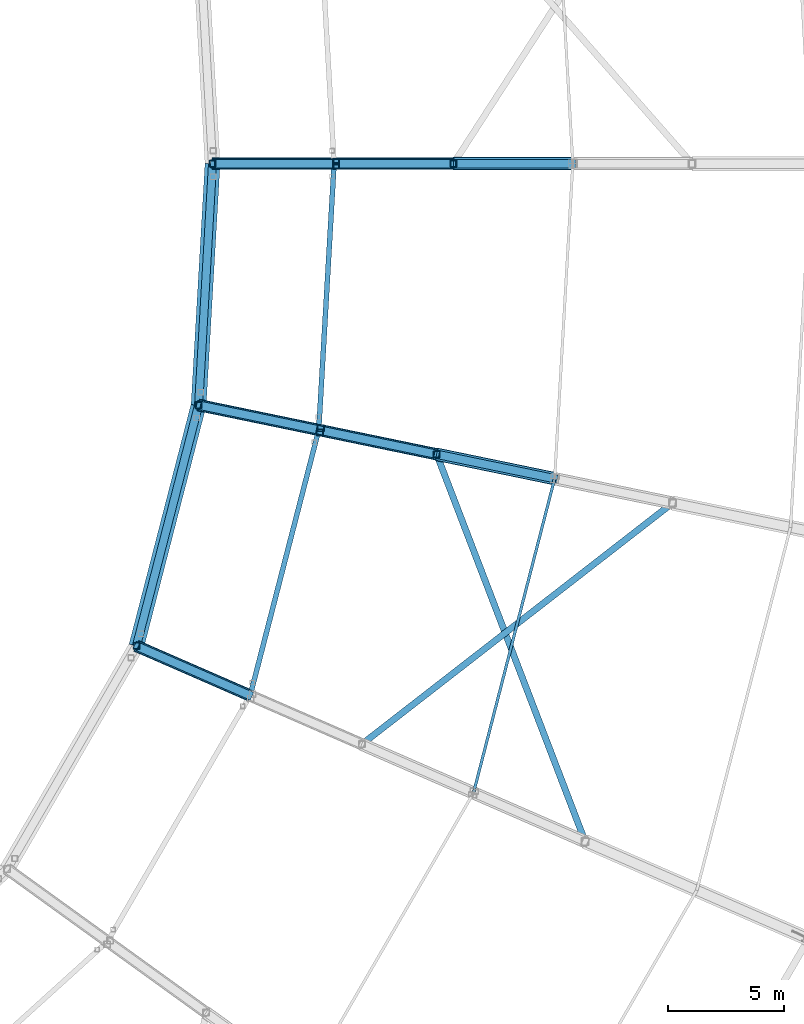
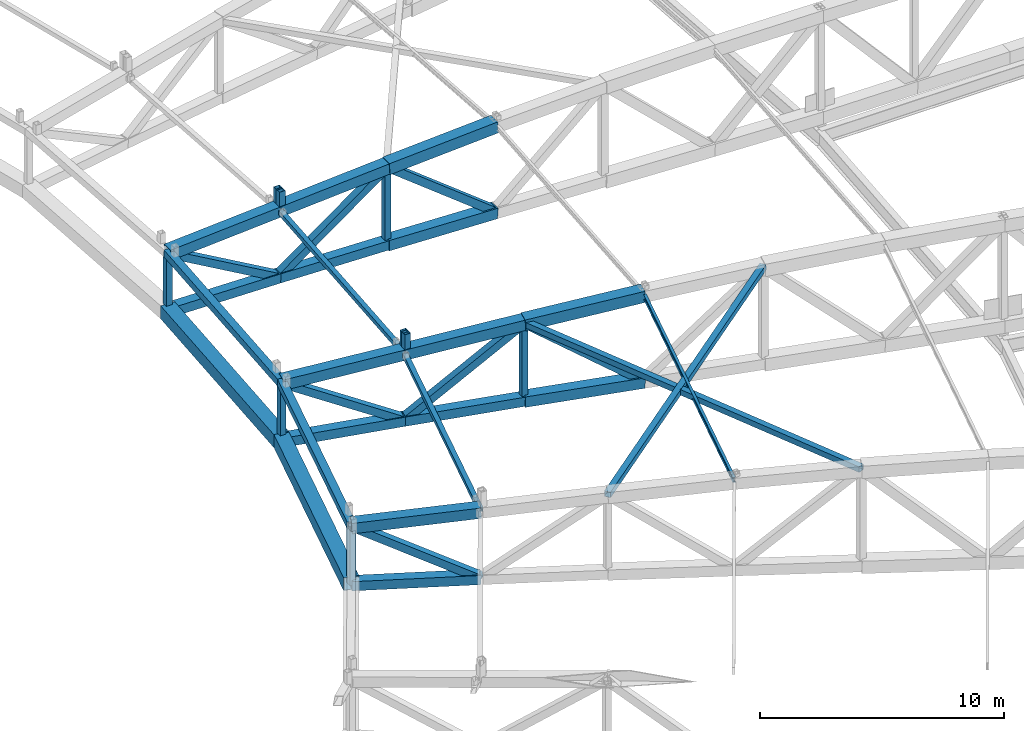
# One storey, part 55 of 162: 39 members.
"""IFC4 building model written with IfcOpenShell, lengths in metres."""

from ifc_helpers import new_model, si_unit, direction, frame, origin, origin_2d, place, context, subcontext, project, spatial, hollow_rectangle, i_section, extrude, material, material_profile, profile_set, type_object, element, save


model = new_model("IFC4")

# Units and contexts
model_context = context("Model", 3, precision=1e-05, world=origin(), true_north=direction((0.0, 1.0)))
body_context = subcontext(model_context, "Body", "Model", "MODEL_VIEW")
ifc_project = project(units=[si_unit("LENGTHUNIT", "METRE"), si_unit("AREAUNIT", "SQUARE_METRE"), si_unit("VOLUMEUNIT", "CUBIC_METRE"), si_unit("PLANEANGLEUNIT", "RADIAN"), si_unit("MASSUNIT", "GRAM", prefix="KILO")], contexts=[model_context])

# Site, building, storey
site_placement = place(None, origin())
site = spatial("IfcSite", under=ifc_project, at=site_placement, CompositionType="ELEMENT")
building_placement = place(site_placement, origin())
building = spatial("IfcBuilding", under=site, at=building_placement, Name="Kazemori Nagisa Stadium", CompositionType="ELEMENT")
storey_placement = place(building_placement, frame((0.0, 0.0, 36.719970703125)))
storey = spatial("IfcBuildingStorey", under=building, at=storey_placement, Name="RF", CompositionType="ELEMENT", Elevation=36.719970703125)

# Members
ifc_material_1 = material(Name="Steel STKR490", Category="steel")
ifc_material_profile_1 = material_profile(ifc_material_1, hollow_rectangle(XDim=0.280029296875, YDim=0.280029296875, WallThickness=0.010009765625, at=origin_2d()), Name="SHS-280x280x10")
ifc_profile_set_1 = profile_set([ifc_material_profile_1], Name="Steel STKR490")
member_type_1 = type_object("IfcMemberType", Name="Member_ST-SHS280", PredefinedType="STUD", material=ifc_profile_set_1)
member_1_placement = place(storey_placement, frame((179.122802734375, 102.095458984375, 4.72998046875), z_axis=(0.0, 0.0, 1.0), x_axis=(1.0, 0.0, 0.0)))
element("IfcMember", 1, at=member_1_placement, inside=storey, type_object=member_type_1, Name="Canopy bearing stool B01-inner-4", PredefinedType="STUD", context=body_context, shape_type="SweptSolid", body=[
    extrude(hollow_rectangle(XDim=0.280029296875, YDim=0.280029296875, WallThickness=0.010009765625, at=origin_2d()), origin(), (0.0, 0.0, 1.0), 0.983154296875),
])
member_2_placement = place(storey_placement, frame((178.441162109375, 90.447021484375, 4.74609375), z_axis=(0.0, 0.0, 1.0), x_axis=(1.0, 0.0, 0.0)))
element("IfcMember", 2, at=member_2_placement, inside=storey, type_object=member_type_1, Name="Canopy bearing stool B27-inner-3", PredefinedType="STUD", context=body_context, shape_type="SweptSolid", body=[
    extrude(hollow_rectangle(XDim=0.280029296875, YDim=0.280029296875, WallThickness=0.010009765625, at=origin_2d()), origin(), (0.0, 0.0, 1.0), 1.02099609375),
])
member_3_placement = place(storey_placement, frame((179.122802734375, 101.904541015625, 4.72998046875), z_axis=(0.0, 0.0, 1.0), x_axis=(1.0, 0.0, 0.0)))
element("IfcMember", 3, at=member_3_placement, inside=storey, type_object=member_type_1, Name="Canopy bearing stool B28-inner-3", PredefinedType="STUD", context=body_context, shape_type="SweptSolid", body=[
    extrude(hollow_rectangle(XDim=0.280029296875, YDim=0.280029296875, WallThickness=0.010009765625, at=origin_2d()), origin(), (0.0, 0.0, 1.0), 0.983154296875),
])
member_4_placement = place(storey_placement, frame((178.476318359375, 90.638427734375, 4.74609375), z_axis=(0.0, 0.0, 1.0), x_axis=(1.0, 0.0, 0.0)))
element("IfcMember", 4, at=member_4_placement, inside=storey, type_object=member_type_1, Name="Canopy bearing stool B28-inner-4", PredefinedType="STUD", context=body_context, shape_type="SweptSolid", body=[
    extrude(hollow_rectangle(XDim=0.280029296875, YDim=0.280029296875, WallThickness=0.010009765625, at=origin_2d()), origin(), (0.0, 0.0, 1.0), 0.967041015625),
])
ifc_material_profile_2 = material_profile(ifc_material_1, hollow_rectangle(XDim=0.280029296875, YDim=0.280029296875, WallThickness=0.010009765625, at=origin_2d()), Name="SHS-280x280x10")
ifc_profile_set_2 = profile_set([ifc_material_profile_2], Name="Steel STKR490")
member_type_2 = type_object("IfcMemberType", Name="Member_TB-SHS280", PredefinedType="BRACE", material=ifc_profile_set_2)
member_5_placement = place(storey_placement, frame((189.841552734375, 72.8603515625, 5.634033203125), z_axis=(-0.357813418302, 0.933309669006, -0.030043625322), x_axis=(-0.933731166084, -0.357975012374, 0.0)))
element("IfcMember", 5, at=member_5_placement, inside=storey, type_object=member_type_2, Name="Roof space truss plan brace B27-1", PredefinedType="BRACE", context=body_context, shape_type="SweptSolid", body=[
    extrude(hollow_rectangle(XDim=0.280029296875, YDim=0.280029296875, WallThickness=0.010009765625, at=origin_2d()), origin(), (0.0, 0.0, 1.0), 17.8369140625),
])
member_6_placement = place(storey_placement, frame((193.598388671875, 87.412841796875, 5.593994140625), z_axis=(-0.789677761227, -0.612957266405, -0.026313931394), x_axis=(0.613169589525, -0.789951298804, 0.0)))
element("IfcMember", 6, at=member_6_placement, inside=storey, type_object=member_type_2, Name="Roof space truss plan brace B27-2", PredefinedType="BRACE", context=body_context, shape_type="SweptSolid", body=[
    extrude(hollow_rectangle(XDim=0.280029296875, YDim=0.280029296875, WallThickness=0.010009765625, at=origin_2d()), origin(), (0.0, 0.0, 1.0), 16.913818359375),
])
ifc_material_profile_3 = material_profile(ifc_material_1, hollow_rectangle(XDim=0.360107421875, YDim=0.360107421875, WallThickness=0.013916015625, at=origin_2d()), Name="SHS-360x360x14")
ifc_profile_set_3 = profile_set([ifc_material_profile_3], Name="Steel STKR490")
member_type_3 = type_object("IfcMemberType", Name="Member_TB-SHS360", PredefinedType="BRACE", material=ifc_profile_set_3)
member_7_placement = place(storey_placement, frame((189.31005859375, 102.0, 1.06005859375), z_axis=(-0.78712226865, 0.0, 0.616796995936), x_axis=(0.0, -1.0, 0.0)))
element("IfcMember", 7, at=member_7_placement, inside=storey, type_object=member_type_3, Name="Roof space truss diagonal RT-01-7", PredefinedType="BRACE", context=body_context, shape_type="SweptSolid", body=[
    extrude(hollow_rectangle(XDim=0.360107421875, YDim=0.360107421875, WallThickness=0.013916015625, at=origin_2d()), origin(), (0.0, 0.0, 1.0), 6.517578125),
])
member_8_placement = place(storey_placement, frame((184.179931640625, 102.0, 5.080078125), z_axis=(-0.811051592036, 0.0, -0.584974627703), x_axis=(0.0, -1.0, 0.0)))
element("IfcMember", 8, at=member_8_placement, inside=storey, type_object=member_type_3, Name="Roof space truss diagonal RT-01-8", PredefinedType="BRACE", context=body_context, shape_type="SweptSolid", body=[
    extrude(hollow_rectangle(XDim=0.360107421875, YDim=0.360107421875, WallThickness=0.013916015625, at=origin_2d()), origin(), (0.0, 0.0, 1.0), 6.324951171875),
])
member_9_placement = place(storey_placement, frame((179.050048828125, 102.0, 1.380126953125), z_axis=(-0.867223935496, 0.0, 0.497918312278), x_axis=(0.0, -1.0, 0.0)))
element("IfcMember", 9, at=member_9_placement, inside=storey, type_object=member_type_3, Name="Roof space truss diagonal RT-01-9", PredefinedType="BRACE", context=body_context, shape_type="SweptSolid", body=[
    extrude(hollow_rectangle(XDim=0.360107421875, YDim=0.360107421875, WallThickness=0.013916015625, at=origin_2d()), origin(), (0.0, 0.0, 1.0), 6.025146484375),
])
member_10_placement = place(storey_placement, frame((175.442138671875, 79.1376953125, 1.427001953125), z_axis=(-0.798171243775, 0.347984166908, 0.491761817542), x_axis=(-0.399646575695, -0.916669304894, 0.0)))
element("IfcMember", 10, at=member_10_placement, inside=storey, type_object=member_type_3, Name="Roof space truss diagonal RT-27-9", PredefinedType="BRACE", context=body_context, shape_type="SweptSolid", body=[
    extrude(hollow_rectangle(XDim=0.360107421875, YDim=0.360107421875, WallThickness=0.013916015625, at=origin_2d()), origin(), (0.0, 0.0, 1.0), 6.124755859375),
])
member_11_placement = place(storey_placement, frame((188.52880859375, 88.46044921875, 1.068115234375), z_axis=(-0.772755619863, 0.159649487561, 0.61429699095), x_axis=(-0.20232488246, -0.979318457876, 0.0)))
element("IfcMember", 11, at=member_11_placement, inside=storey, type_object=member_type_3, Name="Roof space truss diagonal RT-28-7", PredefinedType="BRACE", context=body_context, shape_type="SweptSolid", body=[
    extrude(hollow_rectangle(XDim=0.360107421875, YDim=0.360107421875, WallThickness=0.013916015625, at=origin_2d()), origin(), (0.0, 0.0, 1.0), 6.560302734375),
])
member_12_placement = place(storey_placement, frame((183.459228515625, 89.5078125, 5.09814453125), z_axis=(-0.796283655624, 0.164548671624, -0.582113454966), x_axis=(-0.202370113198, -0.979309112224, 0.0)))
element("IfcMember", 12, at=member_12_placement, inside=storey, type_object=member_type_3, Name="Roof space truss diagonal RT-28-8", PredefinedType="BRACE", context=body_context, shape_type="SweptSolid", body=[
    extrude(hollow_rectangle(XDim=0.360107421875, YDim=0.360107421875, WallThickness=0.013916015625, at=origin_2d()), origin(), (0.0, 0.0, 1.0), 6.366455078125),
])
member_13_placement = place(storey_placement, frame((178.3896484375, 90.555419921875, 1.39208984375), z_axis=(-0.850966771702, 0.175834545006, 0.494911877249), x_axis=(-0.202354481803, -0.979312342256, 0.0)))
element("IfcMember", 13, at=member_13_placement, inside=storey, type_object=member_type_3, Name="Roof space truss diagonal RT-28-9", PredefinedType="BRACE", context=body_context, shape_type="SweptSolid", body=[
    extrude(hollow_rectangle(XDim=0.360107421875, YDim=0.360107421875, WallThickness=0.013916015625, at=origin_2d()), origin(), (0.0, 0.0, 1.0), 6.067626953125),
])
ifc_material_profile_4 = material_profile(ifc_material_1, hollow_rectangle(XDim=0.35009765625, YDim=0.35009765625, WallThickness=0.01611328125, at=origin_2d()), Name="SHS-350x350x16")
ifc_profile_set_4 = profile_set([ifc_material_profile_4], Name="Steel STKR490")
member_type_4 = type_object("IfcMemberType", Name="Member_TC-SHS350", PredefinedType="CHORD", material=ifc_profile_set_4)
member_14_placement = place(storey_placement, frame((170.553466796875, 81.26904296875, 4.43896484375), z_axis=(0.249967058277, 0.968245619322, -0.004109798181), x_axis=(-0.968253796473, 0.24996916933, 0.0)))
element("IfcMember", 14, at=member_14_placement, inside=storey, type_object=member_type_4, Name="Roof tension ring beam upper TR-27", PredefinedType="CHORD", context=body_context, shape_type="SweptSolid", body=[
    extrude(hollow_rectangle(XDim=0.35009765625, YDim=0.35009765625, WallThickness=0.01611328125, at=origin_2d()), origin(), (0.0, 0.0, 1.0), 10.69287109375),
])
member_15_placement = place(storey_placement, frame((173.226318359375, 91.622314453125, 4.39501953125), z_axis=(0.057588823188, 0.998339358579, -0.001432674639), x_axis=(-0.998340383154, 0.05758888229, 0.0)))
element("IfcMember", 15, at=member_15_placement, inside=storey, type_object=member_type_4, Name="Roof tension ring beam upper TR-28", PredefinedType="CHORD", context=body_context, shape_type="SweptSolid", body=[
    extrude(hollow_rectangle(XDim=0.35009765625, YDim=0.35009765625, WallThickness=0.01611328125, at=origin_2d()), origin(), (0.0, 0.0, 1.0), 10.39501953125),
])
ifc_material_profile_5 = material_profile(ifc_material_1, hollow_rectangle(XDim=0.4599609375, YDim=0.4599609375, WallThickness=0.01611328125, at=origin_2d()), Name="SHS-460x460x16")
ifc_profile_set_5 = profile_set([ifc_material_profile_5], Name="Steel STKR490")
member_type_5 = type_object("IfcMemberType", Name="Member_TC-SHS460", PredefinedType="CHORD", material=ifc_profile_set_5)
member_16_placement = place(storey_placement, frame((184.179931640625, 102.0, 1.239990234375), z_axis=(-0.999627079708, 0.0, 0.027307535872), x_axis=(0.0, -1.0, 0.0)))
element("IfcMember", 16, at=member_16_placement, inside=storey, type_object=member_type_5, Name="Roof space truss bottom chord RT-01-8", PredefinedType="CHORD", context=body_context, shape_type="SweptSolid", body=[
    extrude(hollow_rectangle(XDim=0.4599609375, YDim=0.4599609375, WallThickness=0.01611328125, at=origin_2d()), origin(), (0.0, 0.0, 1.0), 5.1318359375),
])
member_17_placement = place(storey_placement, frame((179.050048828125, 102.0, 1.380126953125), z_axis=(-0.999817447004, 0.0, 0.019106874863), x_axis=(0.0, -1.0, 0.0)))
element("IfcMember", 17, at=member_17_placement, inside=storey, type_object=member_type_5, Name="Roof space truss bottom chord RT-01-9", PredefinedType="CHORD", context=body_context, shape_type="SweptSolid", body=[
    extrude(hollow_rectangle(XDim=0.4599609375, YDim=0.4599609375, WallThickness=0.01611328125, at=origin_2d()), origin(), (0.0, 0.0, 1.0), 5.22607421875),
])
member_18_placement = place(storey_placement, frame((175.442138671875, 79.1376953125, 1.427001953125), z_axis=(-0.916485090446, 0.399566262465, 0.02004696712), x_axis=(-0.399646575695, -0.916669304894, 0.0)))
element("IfcMember", 18, at=member_18_placement, inside=storey, type_object=member_type_5, Name="Roof space truss bottom chord RT-27-9", PredefinedType="CHORD", context=body_context, shape_type="SweptSolid", body=[
    extrude(hollow_rectangle(XDim=0.4599609375, YDim=0.4599609375, WallThickness=0.01611328125, at=origin_2d()), origin(), (0.0, 0.0, 1.0), 5.334228515625),
])
member_19_placement = place(storey_placement, frame((183.459228515625, 89.5078125, 1.25), z_axis=(-0.978940418132, 0.202293924113, 0.027437675095), x_axis=(-0.202370113198, -0.979309112224, 0.0)))
element("IfcMember", 19, at=member_19_placement, inside=storey, type_object=member_type_5, Name="Roof space truss bottom chord RT-28-8", PredefinedType="CHORD", context=body_context, shape_type="SweptSolid", body=[
    extrude(hollow_rectangle(XDim=0.4599609375, YDim=0.4599609375, WallThickness=0.01611328125, at=origin_2d()), origin(), (0.0, 0.0, 1.0), 5.1787109375),
])
member_20_placement = place(storey_placement, frame((178.3896484375, 90.555419921875, 1.39208984375), z_axis=(-0.979128948489, 0.202316587304, 0.019352021394), x_axis=(-0.202354481803, -0.979312342256, 0.0)))
element("IfcMember", 20, at=member_20_placement, inside=storey, type_object=member_type_5, Name="Roof space truss bottom chord RT-28-9", PredefinedType="CHORD", context=body_context, shape_type="SweptSolid", body=[
    extrude(hollow_rectangle(XDim=0.4599609375, YDim=0.4599609375, WallThickness=0.01611328125, at=origin_2d()), origin(), (0.0, 0.0, 1.0), 5.2734375),
])
ifc_material_profile_6 = material_profile(ifc_material_1, hollow_rectangle(XDim=0.52001953125, YDim=0.52001953125, WallThickness=0.01904296875, at=origin_2d()), Name="SHS-520x520x19")
ifc_profile_set_6 = profile_set([ifc_material_profile_6], Name="Steel STKR490")
member_type_6 = type_object("IfcMemberType", Name="Member_TC-SHS520", PredefinedType="CHORD", material=ifc_profile_set_6)
member_21_placement = place(storey_placement, frame((189.31005859375, 102.0, 1.06005859375), z_axis=(-0.999385490787, 0.0, 0.035051972908), x_axis=(0.0, -1.0, 0.0)))
element("IfcMember", 21, at=member_21_placement, inside=storey, type_object=member_type_6, Name="Roof space truss bottom chord RT-01-7", PredefinedType="CHORD", context=body_context, shape_type="SweptSolid", body=[
    extrude(hollow_rectangle(XDim=0.52001953125, YDim=0.52001953125, WallThickness=0.01904296875, at=origin_2d()), origin(), (0.0, 0.0, 1.0), 5.13330078125),
])
member_22_placement = place(storey_placement, frame((184.179931640625, 102.0, 5.080078125), z_axis=(-0.997679296434, 0.0, -0.068088335765), x_axis=(0.0, -1.0, 0.0)))
element("IfcMember", 22, at=member_22_placement, inside=storey, type_object=member_type_6, Name="Roof space truss top chord RT-01-8", PredefinedType="CHORD", context=body_context, shape_type="SweptSolid", body=[
    extrude(hollow_rectangle(XDim=0.52001953125, YDim=0.52001953125, WallThickness=0.01904296875, at=origin_2d()), origin(), (0.0, 0.0, 1.0), 5.141845703125),
])
member_23_placement = place(storey_placement, frame((179.050048828125, 102.0, 4.72998046875), z_axis=(-0.997765931933, 0.0, -0.066806774155), x_axis=(0.0, -1.0, 0.0)))
element("IfcMember", 23, at=member_23_placement, inside=storey, type_object=member_type_6, Name="Roof space truss top chord RT-01-9", PredefinedType="CHORD", context=body_context, shape_type="SweptSolid", body=[
    extrude(hollow_rectangle(XDim=0.52001953125, YDim=0.52001953125, WallThickness=0.01904296875, at=origin_2d()), origin(), (0.0, 0.0, 1.0), 5.23681640625),
])
member_24_placement = place(storey_placement, frame((175.442138671875, 79.1376953125, 4.7939453125), z_axis=(-0.914645377037, 0.398764190049, -0.066415020886), x_axis=(-0.399646575695, -0.916669304894, 0.0)))
element("IfcMember", 24, at=member_24_placement, inside=storey, type_object=member_type_6, Name="Roof space truss top chord RT-27-9", PredefinedType="CHORD", context=body_context, shape_type="SweptSolid", body=[
    extrude(hollow_rectangle(XDim=0.52001953125, YDim=0.52001953125, WallThickness=0.01904296875, at=origin_2d()), origin(), (0.0, 0.0, 1.0), 5.344970703125),
])
member_25_placement = place(storey_placement, frame((188.52880859375, 88.46044921875, 1.068115234375), z_axis=(-0.978714525074, 0.202200111368, 0.035114005354), x_axis=(-0.20232488246, -0.979318457876, 0.0)))
element("IfcMember", 25, at=member_25_placement, inside=storey, type_object=member_type_6, Name="Roof space truss bottom chord RT-28-7", PredefinedType="CHORD", context=body_context, shape_type="SweptSolid", body=[
    extrude(hollow_rectangle(XDim=0.52001953125, YDim=0.52001953125, WallThickness=0.01904296875, at=origin_2d()), origin(), (0.0, 0.0, 1.0), 5.179931640625),
])
member_26_placement = place(storey_placement, frame((183.459228515625, 89.5078125, 5.09814453125), z_axis=(-0.977052313722, 0.20190375527, -0.067850201608), x_axis=(-0.202370113198, -0.979309112224, 0.0)))
element("IfcMember", 26, at=member_26_placement, inside=storey, type_object=member_type_6, Name="Roof space truss top chord RT-28-8", PredefinedType="CHORD", context=body_context, shape_type="SweptSolid", body=[
    extrude(hollow_rectangle(XDim=0.52001953125, YDim=0.52001953125, WallThickness=0.01904296875, at=origin_2d()), origin(), (0.0, 0.0, 1.0), 5.188720703125),
])
member_27_placement = place(storey_placement, frame((178.3896484375, 90.555419921875, 4.74609375), z_axis=(-0.977148475491, 0.201907363842, -0.06643999753), x_axis=(-0.202354481803, -0.979312342256, 0.0)))
element("IfcMember", 27, at=member_27_placement, inside=storey, type_object=member_type_6, Name="Roof space truss top chord RT-28-9", PredefinedType="CHORD", context=body_context, shape_type="SweptSolid", body=[
    extrude(hollow_rectangle(XDim=0.52001953125, YDim=0.52001953125, WallThickness=0.01904296875, at=origin_2d()), origin(), (0.0, 0.0, 1.0), 5.2841796875),
])
ifc_material_profile_7 = material_profile(ifc_material_1, hollow_rectangle(XDim=0.56005859375, YDim=0.56005859375, WallThickness=0.02001953125, at=origin_2d()), Name="SHS-560x560x20")
ifc_profile_set_7 = profile_set([ifc_material_profile_7], Name="Steel STKR490")
member_type_7 = type_object("IfcMemberType", Name="Member_TC-SHS560", PredefinedType="CHORD", material=ifc_profile_set_7)
member_28_placement = place(storey_placement, frame((189.31005859375, 102.0, 5.380126953125), z_axis=(-0.998293975882, 0.0, -0.058387821651), x_axis=(0.0, -1.0, 0.0)))
element("IfcMember", 28, at=member_28_placement, inside=storey, type_object=member_type_7, Name="Roof space truss top chord RT-01-7", PredefinedType="CHORD", context=body_context, shape_type="SweptSolid", body=[
    extrude(hollow_rectangle(XDim=0.56005859375, YDim=0.56005859375, WallThickness=0.02001953125, at=origin_2d()), origin(), (0.0, 0.0, 1.0), 5.138916015625),
])
member_29_placement = place(storey_placement, frame((188.52880859375, 88.46044921875, 5.39794921875), z_axis=(-0.977680194016, 0.201986421013, -0.057818024476), x_axis=(-0.20232488246, -0.979318457876, 0.0)))
element("IfcMember", 29, at=member_29_placement, inside=storey, type_object=member_type_7, Name="Roof space truss top chord RT-28-7", PredefinedType="CHORD", context=body_context, shape_type="SweptSolid", body=[
    extrude(hollow_rectangle(XDim=0.56005859375, YDim=0.56005859375, WallThickness=0.02001953125, at=origin_2d()), origin(), (0.0, 0.0, 1.0), 5.185302734375),
])
ifc_material_profile_8 = material_profile(ifc_material_1, hollow_rectangle(XDim=0.64990234375, YDim=0.64990234375, WallThickness=0.02490234375, at=origin_2d()), Name="SHS-650x650x25")
ifc_profile_set_8 = profile_set([ifc_material_profile_8], Name="Steel STKR490")
member_type_8 = type_object("IfcMemberType", Name="Member_TC-SHS650", PredefinedType="CHORD", material=ifc_profile_set_8)
member_30_placement = place(storey_placement, frame((170.553466796875, 81.26904296875, 1.533935546875), z_axis=(0.249967438197, 0.968247090941, -0.003721656232), x_axis=(-0.968253796473, 0.24996916933, 0.0)))
element("IfcMember", 30, at=member_30_placement, inside=storey, type_object=member_type_8, Name="Roof tension ring beam lower TR-27", PredefinedType="CHORD", context=body_context, shape_type="SweptSolid", body=[
    extrude(hollow_rectangle(XDim=0.64990234375, YDim=0.64990234375, WallThickness=0.02490234375, at=origin_2d()), origin(), (0.0, 0.0, 1.0), 10.69287109375),
])
member_31_placement = place(storey_placement, frame((173.226318359375, 91.622314453125, 1.494140625), z_axis=(0.057588828858, 0.998339456878, -0.001362215365), x_axis=(-0.998340383154, 0.05758888229, 0.0)))
element("IfcMember", 31, at=member_31_placement, inside=storey, type_object=member_type_8, Name="Roof tension ring beam lower TR-28", PredefinedType="CHORD", context=body_context, shape_type="SweptSolid", body=[
    extrude(hollow_rectangle(XDim=0.64990234375, YDim=0.64990234375, WallThickness=0.02490234375, at=origin_2d()), origin(), (0.0, 0.0, 1.0), 10.39501953125),
])
ifc_material_2 = material(Name="Steel SN490B", Category="steel")
ifc_material_profile_9 = material_profile(ifc_material_2, i_section(OverallWidth=0.125, OverallDepth=0.25, WebThickness=0.006103515625, FlangeThickness=0.009033203125, FilletRadius=0.008056640625, at=origin_2d()), Name="H-250x125x6x9")
ifc_profile_set_9 = profile_set([ifc_material_profile_9], Name="Steel SN490B")
member_type_9 = type_object("IfcMemberType", Name="Member_TP-H250", PredefinedType="PURLIN", material=ifc_profile_set_9)
member_32_placement = place(storey_placement, frame((185.041748046875, 74.952880859375, 5.4521484375), z_axis=(0.24995922962, 0.968248568029, -0.003885104598), x_axis=(-0.968255875502, 0.249961116088, 0.0)))
element("IfcMember", 32, at=member_32_placement, inside=storey, type_object=member_type_9, Name="Roof purlin TP-H250 B27-P6", PredefinedType="PURLIN", context=body_context, shape_type="SweptSolid", body=[
    extrude(i_section(OverallWidth=0.125, OverallDepth=0.25, WebThickness=0.006103515625, FlangeThickness=0.009033203125, FilletRadius=0.008056640625, at=origin_2d()), origin(), (0.0, 0.0, 1.0), 13.950439453125),
])
ifc_material_profile_10 = material_profile(ifc_material_1, hollow_rectangle(XDim=0.219970703125, YDim=0.219970703125, WallThickness=0.009033203125, at=origin_2d()), Name="SHS-220x220x9")
ifc_profile_set_10 = profile_set([ifc_material_profile_10], Name="Steel STKR490")
member_type_10 = type_object("IfcMemberType", Name="Member_TP-SHS220", PredefinedType="PURLIN", material=ifc_profile_set_10)
member_33_placement = place(storey_placement, frame((175.442138671875, 79.1376953125, 4.7939453125), z_axis=(0.24995548315, 0.968248826348, -0.004057920541), x_axis=(-0.968256798387, 0.249957541149, 0.0)))
element("IfcMember", 33, at=member_33_placement, inside=storey, type_object=member_type_10, Name="Roof purlin TP-SHS220 B27-P8", PredefinedType="PURLIN", context=body_context, shape_type="SweptSolid", body=[
    extrude(hollow_rectangle(XDim=0.219970703125, YDim=0.219970703125, WallThickness=0.009033203125, at=origin_2d()), origin(), (0.0, 0.0, 1.0), 11.792236328125),
])
member_34_placement = place(storey_placement, frame((178.3896484375, 90.555419921875, 4.74609375), z_axis=(0.057608315954, 0.998338272441, -0.001405600315), x_axis=(-0.998339258657, 0.057608372862, 0.0)))
element("IfcMember", 34, at=member_34_placement, inside=storey, type_object=member_type_10, Name="Roof purlin TP-SHS220 B28-P8", PredefinedType="PURLIN", context=body_context, shape_type="SweptSolid", body=[
    extrude(hollow_rectangle(XDim=0.219970703125, YDim=0.219970703125, WallThickness=0.009033203125, at=origin_2d()), origin(), (0.0, 0.0, 1.0), 11.463623046875),
])
ifc_material_profile_11 = material_profile(ifc_material_1, hollow_rectangle(XDim=0.280029296875, YDim=0.280029296875, WallThickness=0.010009765625, at=origin_2d()), Name="SHS-280x280x10")
ifc_profile_set_11 = profile_set([ifc_material_profile_11], Name="Steel STKR490")
member_type_11 = type_object("IfcMemberType", Name="Member_TS-SHS280", PredefinedType="STRUT", material=ifc_profile_set_11)
member_35_placement = place(storey_placement, frame((184.179931640625, 102.0, 1.239990234375), z_axis=(0.0, 0.0, 1.0), x_axis=(1.0, 0.0, 0.0)))
element("IfcMember", 35, at=member_35_placement, inside=storey, type_object=member_type_11, Name="Roof space truss strut RT-01-8", PredefinedType="STRUT", context=body_context, shape_type="SweptSolid", body=[
    extrude(hollow_rectangle(XDim=0.280029296875, YDim=0.280029296875, WallThickness=0.010009765625, at=origin_2d()), origin(), (0.0, 0.0, 1.0), 3.840087890625),
])
member_36_placement = place(storey_placement, frame((173.824951171875, 102.0, 1.47998046875), z_axis=(0.0, 0.0, 1.0), x_axis=(1.0, 0.0, 0.0)))
element("IfcMember", 36, at=member_36_placement, inside=storey, type_object=member_type_11, Name="Roof space truss strut RT-01-10", PredefinedType="STRUT", context=body_context, shape_type="SweptSolid", body=[
    extrude(hollow_rectangle(XDim=0.280029296875, YDim=0.280029296875, WallThickness=0.010009765625, at=origin_2d()), origin(), (0.0, 0.0, 1.0), 2.900146484375),
])
member_37_placement = place(storey_placement, frame((170.553466796875, 81.26904296875, 1.533935546875), z_axis=(0.0, 0.0, 1.0), x_axis=(1.0, 0.0, 0.0)))
element("IfcMember", 37, at=member_37_placement, inside=storey, type_object=member_type_11, Name="Roof space truss strut RT-27-10", PredefinedType="STRUT", context=body_context, shape_type="SweptSolid", body=[
    extrude(hollow_rectangle(XDim=0.280029296875, YDim=0.280029296875, WallThickness=0.010009765625, at=origin_2d()), origin(), (0.0, 0.0, 1.0), 2.905029296875),
])
member_38_placement = place(storey_placement, frame((183.459228515625, 89.5078125, 1.25), z_axis=(0.0, 0.0, 1.0), x_axis=(1.0, 0.0, 0.0)))
element("IfcMember", 38, at=member_38_placement, inside=storey, type_object=member_type_11, Name="Roof space truss strut RT-28-8", PredefinedType="STRUT", context=body_context, shape_type="SweptSolid", body=[
    extrude(hollow_rectangle(XDim=0.280029296875, YDim=0.280029296875, WallThickness=0.010009765625, at=origin_2d()), origin(), (0.0, 0.0, 1.0), 3.84814453125),
])
member_39_placement = place(storey_placement, frame((173.226318359375, 91.622314453125, 1.494140625), z_axis=(0.0, 0.0, 1.0), x_axis=(1.0, 0.0, 0.0)))
element("IfcMember", 39, at=member_39_placement, inside=storey, type_object=member_type_11, Name="Roof space truss strut RT-28-10", PredefinedType="STRUT", context=body_context, shape_type="SweptSolid", body=[
    extrude(hollow_rectangle(XDim=0.280029296875, YDim=0.280029296875, WallThickness=0.010009765625, at=origin_2d()), origin(), (0.0, 0.0, 1.0), 2.90087890625),
])

save(model, "model.ifc")
